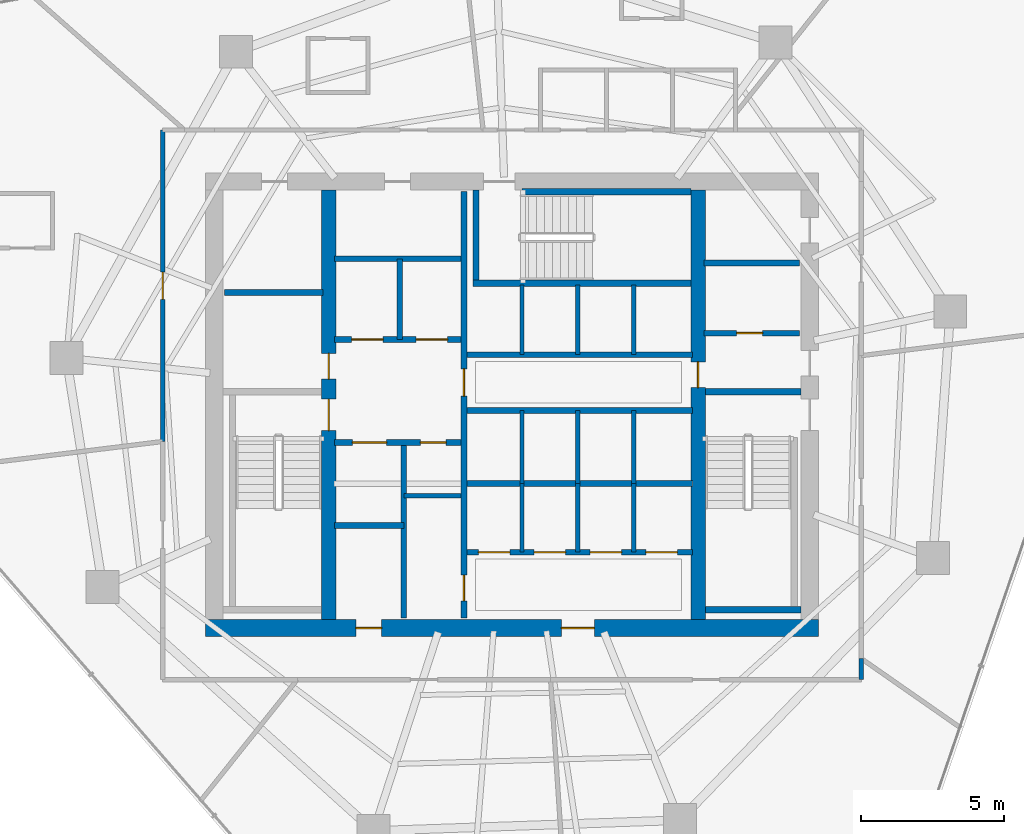
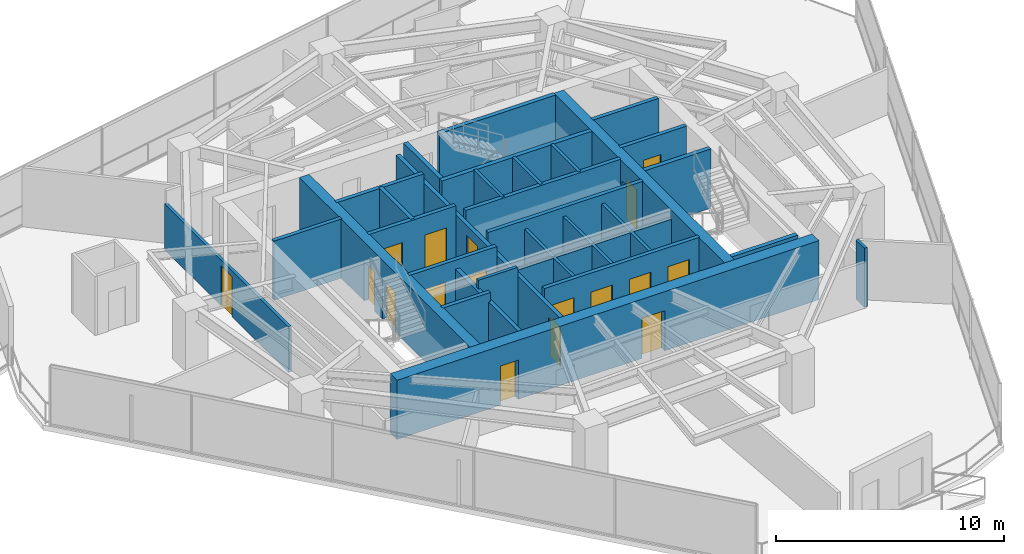
# One storey, part 23 of 27: 34 walls, 17 doors, 17 openings.
"""IFC4 building model written with IfcOpenShell, lengths in metres."""

from ifc_helpers import new_model, si_unit, direction, frame, frame_2d, origin, place, context, subcontext, project, spatial, rectangle, extrude, material, layer, layer_set, type_object, element, fill, save


model = new_model("IFC4")

# Units and contexts
model_context = context("Model", 3, precision=1e-05, world=origin(), true_north=direction((0.0, 1.0)))
body_context = subcontext(model_context, "Body", "Model", "MODEL_VIEW")
ifc_project = project(units=[si_unit("LENGTHUNIT", "METRE"), si_unit("AREAUNIT", "SQUARE_METRE"), si_unit("VOLUMEUNIT", "CUBIC_METRE"), si_unit("PLANEANGLEUNIT", "RADIAN"), si_unit("MASSUNIT", "GRAM", prefix="KILO")], contexts=[model_context])

# Site, building, storey
site_placement = place(None, origin())
site = spatial("IfcSite", under=ifc_project, at=site_placement, CompositionType="ELEMENT")
building_placement = place(site_placement, origin())
building = spatial("IfcBuilding", under=site, at=building_placement, Name="Qarnah Convention Tower", CompositionType="ELEMENT")
storey_placement = place(building_placement, frame((0.0, 0.0, 107.39990234375)))
storey = spatial("IfcBuildingStorey", under=building, at=storey_placement, Name="L28", CompositionType="ELEMENT", Elevation=107.39990234375)

# Wall, openings, doors
ifc_material_1 = material(Name="Concrete C60/75", Category="concrete")
ifc_layer_1 = layer(ifc_material_1, 0.60009765625)
ifc_layer_set_1 = layer_set([ifc_layer_1], Name="Concrete C60/75")
wall_type_1 = type_object("IfcWallType", Name="WL-CORE-600", PredefinedType="SHEAR", material=ifc_layer_set_1)
wall_1_placement = place(storey_placement, frame((26.5, 18.60009765625, 0.0), z_axis=(0.0, 0.0, 1.0), x_axis=(1.0, 0.0, 0.0)))
wall_1 = element("IfcWall", 1, at=wall_1_placement, inside=storey, type_object=wall_type_1, Name="L28 core south shear wall", PredefinedType="SHEAR", context=body_context, shape_type="SweptSolid", body=[
    extrude(rectangle(XDim=21.39990234375, YDim=0.60009765625, at=frame_2d((10.699951171875, 0.0))), origin(), (0.0, 0.0, 1.0), 3.170166015625),
])
opening_1_placement = place(wall_1_placement, frame((12.425048828125, 0.0, 0.0)))
opening_1 = element("IfcOpeningElement", 2, at=opening_1_placement, cuts=wall_1, Name="Opening D-2807", PredefinedType="OPENING", context=body_context, shape_type="SweptSolid", body=[
    extrude(rectangle(XDim=1.14990234375, YDim=2.14990234375, at=frame_2d((0.574951171875, 1.074951171875))), frame((0.0, 0.31005859375, 0.0), z_axis=(0.0, -1.0, 0.0), x_axis=(1.0, 0.0, 0.0)), (0.0, 0.0, 1.0), 0.6201171875),
])
opening_2_placement = place(wall_1_placement, frame((5.25, 0.0, 0.0)))
opening_2 = element("IfcOpeningElement", 3, at=opening_2_placement, cuts=wall_1, Name="Opening D-2813", PredefinedType="OPENING", context=body_context, shape_type="SweptSolid", body=[
    extrude(rectangle(XDim=0.89990234375, YDim=2.10009765625, at=frame_2d((0.449951171875, 1.050048828125))), frame((0.0, 0.31005859375, 0.0), z_axis=(0.0, -1.0, 0.0), x_axis=(1.0, 0.0, 0.0)), (0.0, 0.0, 1.0), 0.6201171875),
])
ifc_material_2 = material(Name="Structural steel S355JR", Category="steel")
door_type_1 = type_object("IfcDoorType", Name="DT-LOBBY-1150", OperationType="NOTDEFINED", PredefinedType="DOOR", material=ifc_material_2)
door_1_placement = place(opening_1_placement, origin())
door_1 = element("IfcDoor", 4, at=door_1_placement, inside=storey, type_object=door_type_1, Name="Door D-2807", OperationType="SINGLE_SWING_RIGHT", OverallHeight=2.14990234375, OverallWidth=1.14990234375, PredefinedType="DOOR", context=body_context, shape_type="SweptSolid", body=[
    extrude(rectangle(XDim=1.14990234375, YDim=2.14990234375, at=frame_2d((0.574951171875, 1.074951171875))), frame((0.0, 0.02490234375, 0.0), z_axis=(0.0, -1.0, 0.0), x_axis=(1.0, 0.0, 0.0)), (0.0, 0.0, 1.0), 0.050048828125),
])
fill(opening_1, door_1)
door_type_2 = type_object("IfcDoorType", Name="DT-RISER-900", OperationType="NOTDEFINED", PredefinedType="DOOR", material=ifc_material_2)
door_2_placement = place(opening_2_placement, origin())
door_2 = element("IfcDoor", 5, at=door_2_placement, inside=storey, type_object=door_type_2, Name="Door D-2813", OperationType="SINGLE_SWING_RIGHT", OverallHeight=2.10009765625, OverallWidth=0.89990234375, PredefinedType="DOOR", context=body_context, shape_type="SweptSolid", body=[
    extrude(rectangle(XDim=0.89990234375, YDim=2.10009765625, at=frame_2d((0.449951171875, 1.050048828125))), frame((0.0, 0.02490234375, 0.0), z_axis=(0.0, -1.0, 0.0), x_axis=(1.0, 0.0, 0.0)), (0.0, 0.0, 1.0), 0.050048828125),
])
fill(opening_2, door_2)

ifc_layer_2 = layer(ifc_material_1, 0.5)
ifc_layer_set_2 = layer_set([ifc_layer_2], Name="Concrete C60/75")
wall_type_2 = type_object("IfcWallType", Name="WL-CORE-INT-400", PredefinedType="SHEAR", material=ifc_layer_set_2)
wall_2_placement = place(storey_placement, frame((30.800048828125, 18.89990234375, 0.0), z_axis=(0.0, 0.0, 1.0), x_axis=(0.0, 1.0, 0.0)))
wall_2 = element("IfcWall", 6, at=wall_2_placement, inside=storey, type_object=wall_type_2, Name="L28 core west spine shear wall", PredefinedType="SHEAR", context=body_context, shape_type="SweptSolid", body=[
    extrude(rectangle(XDim=15.0, YDim=0.5, at=frame_2d((7.5, 0.0))), origin(), (0.0, 0.0, 1.0), 3.170166015625),
])
opening_3_placement = place(wall_2_placement, frame((6.60009765625, 0.0, 0.0)))
opening_3 = element("IfcOpeningElement", 7, at=opening_3_placement, cuts=wall_2, Name="Opening D-2801", PredefinedType="OPENING", context=body_context, shape_type="SweptSolid", body=[
    extrude(rectangle(XDim=1.10009765625, YDim=2.14990234375, at=frame_2d((0.550048828125, 1.074951171875))), frame((0.0, 0.260009765625, 0.0), z_axis=(0.0, -1.0, 0.0), x_axis=(1.0, 0.0, 0.0)), (0.0, 0.0, 1.0), 0.52001953125),
])
opening_4_placement = place(wall_2_placement, frame((8.39990234375, 0.0, 0.0)))
opening_4 = element("IfcOpeningElement", 8, at=opening_4_placement, cuts=wall_2, Name="Opening D-2808", PredefinedType="OPENING", context=body_context, shape_type="SweptSolid", body=[
    extrude(rectangle(XDim=0.89990234375, YDim=2.10009765625, at=frame_2d((0.449951171875, 1.050048828125))), frame((0.0, 0.260009765625, 0.0), z_axis=(0.0, -1.0, 0.0), x_axis=(1.0, 0.0, 0.0)), (0.0, 0.0, 1.0), 0.52001953125),
])
door_3_placement = place(opening_4_placement, origin())
door_3 = element("IfcDoor", 9, at=door_3_placement, inside=storey, type_object=door_type_2, Name="Door D-2808", OperationType="SINGLE_SWING_LEFT", OverallHeight=2.10009765625, OverallWidth=0.89990234375, PredefinedType="DOOR", context=body_context, shape_type="SweptSolid", body=[
    extrude(rectangle(XDim=0.89990234375, YDim=2.10009765625, at=frame_2d((0.449951171875, 1.050048828125))), frame((0.0, 0.02490234375, 0.0), z_axis=(0.0, -1.0, 0.0), x_axis=(1.0, 0.0, 0.0)), (0.0, 0.0, 1.0), 0.050048828125),
])
fill(opening_4, door_3)
door_type_3 = type_object("IfcDoorType", Name="DT-STAIR-1100", OperationType="NOTDEFINED", PredefinedType="DOOR", material=ifc_material_2)
door_4_placement = place(opening_3_placement, origin())
door_4 = element("IfcDoor", 10, at=door_4_placement, inside=storey, type_object=door_type_3, Name="Door D-2801", OperationType="SINGLE_SWING_RIGHT", OverallHeight=2.14990234375, OverallWidth=1.10009765625, PredefinedType="DOOR", context=body_context, shape_type="SweptSolid", body=[
    extrude(rectangle(XDim=1.10009765625, YDim=2.14990234375, at=frame_2d((0.550048828125, 1.074951171875))), frame((0.0, 0.02490234375, 0.0), z_axis=(0.0, -1.0, 0.0), x_axis=(1.0, 0.0, 0.0)), (0.0, 0.0, 1.0), 0.050048828125),
])
fill(opening_3, door_4)

# Wall, opening, door
wall_3_placement = place(storey_placement, frame((43.699951171875, 18.89990234375, 0.0), z_axis=(0.0, 0.0, 1.0), x_axis=(0.0, 1.0, 0.0)))
wall_3 = element("IfcWall", 11, at=wall_3_placement, inside=storey, type_object=wall_type_2, Name="L28 core east spine shear wall", PredefinedType="SHEAR", context=body_context, shape_type="SweptSolid", body=[
    extrude(rectangle(XDim=15.0, YDim=0.5, at=frame_2d((7.5, 0.0))), origin(), (0.0, 0.0, 1.0), 3.170166015625),
])
opening_5_placement = place(wall_3_placement, frame((8.10009765625, 0.0, 0.0)))
opening_5 = element("IfcOpeningElement", 12, at=opening_5_placement, cuts=wall_3, Name="Opening D-2805", PredefinedType="OPENING", context=body_context, shape_type="SweptSolid", body=[
    extrude(rectangle(XDim=0.89990234375, YDim=2.10009765625, at=frame_2d((0.449951171875, 1.050048828125))), frame((0.0, 0.260009765625, 0.0), z_axis=(0.0, -1.0, 0.0), x_axis=(1.0, 0.0, 0.0)), (0.0, 0.0, 1.0), 0.52001953125),
])
door_5_placement = place(opening_5_placement, origin())
door_5 = element("IfcDoor", 13, at=door_5_placement, inside=storey, type_object=door_type_2, Name="Door D-2805", OperationType="SINGLE_SWING_RIGHT", OverallHeight=2.10009765625, OverallWidth=0.89990234375, PredefinedType="DOOR", context=body_context, shape_type="SweptSolid", body=[
    extrude(rectangle(XDim=0.89990234375, YDim=2.10009765625, at=frame_2d((0.449951171875, 1.050048828125))), frame((0.0, 0.02490234375, 0.0), z_axis=(0.0, -1.0, 0.0), x_axis=(1.0, 0.0, 0.0)), (0.0, 0.0, 1.0), 0.050048828125),
])
fill(opening_5, door_5)

# Wall
ifc_material_3 = material(Name="Concrete C45/55", Category="concrete")
ifc_layer_3 = layer(ifc_material_3, 0.199951171875)
ifc_layer_set_3 = layer_set([ifc_layer_3], Name="Concrete C45/55")
wall_type_3 = type_object("IfcWallType", Name="WL-CORE-PART-200", PredefinedType="SOLIDWALL", material=ifc_layer_set_3)
wall_4_placement = place(storey_placement, frame((27.14990234375, 30.320068359375, 0.0), z_axis=(0.0, 0.0, 1.0), x_axis=(1.0, 0.0, 0.0)))
element("IfcWall", 14, at=wall_4_placement, inside=storey, type_object=wall_type_3, Name="L28 interior wall IW-L28-ELRN", PredefinedType="SOLIDWALL", context=body_context, shape_type="SweptSolid", body=[
    extrude(rectangle(XDim=3.4501953125, YDim=0.199951171875, at=frame_2d((1.72509765625, 0.0))), origin(), (0.0, 0.0, 1.0), 3.170166015625),
])

# Wall, opening, door
wall_5_placement = place(storey_placement, frame((43.89990234375, 28.89990234375, 0.0), z_axis=(0.0, 0.0, 1.0), x_axis=(1.0, 0.0, 0.0)))
wall_5 = element("IfcWall", 15, at=wall_5_placement, inside=storey, type_object=wall_type_3, Name="L28 interior wall IW-L28-EVSTN", PredefinedType="SOLIDWALL", context=body_context, shape_type="SweptSolid", body=[
    extrude(rectangle(XDim=3.35009765625, YDim=0.199951171875, at=frame_2d((1.675048828125, 0.0))), origin(), (0.0, 0.0, 1.0), 3.170166015625),
])
opening_6_placement = place(wall_5_placement, frame((1.14990234375, 0.0, 0.0)))
opening_6 = element("IfcOpeningElement", 16, at=opening_6_placement, cuts=wall_5, Name="Opening D-2811", PredefinedType="OPENING", context=body_context, shape_type="SweptSolid", body=[
    extrude(rectangle(XDim=0.89990234375, YDim=2.10009765625, at=frame_2d((0.449951171875, 1.050048828125))), frame((0.0, 0.10986328125, 0.0), z_axis=(0.0, -1.0, 0.0), x_axis=(1.0, 0.0, 0.0)), (0.0, 0.0, 1.0), 0.219970703125),
])
door_6_placement = place(opening_6_placement, origin())
door_6 = element("IfcDoor", 17, at=door_6_placement, inside=storey, type_object=door_type_2, Name="Door D-2811", OperationType="SINGLE_SWING_RIGHT", OverallHeight=2.10009765625, OverallWidth=0.89990234375, PredefinedType="DOOR", context=body_context, shape_type="SweptSolid", body=[
    extrude(rectangle(XDim=0.89990234375, YDim=2.10009765625, at=frame_2d((0.449951171875, 1.050048828125))), frame((0.0, 0.02490234375, 0.0), z_axis=(0.0, -1.0, 0.0), x_axis=(1.0, 0.0, 0.0)), (0.0, 0.0, 1.0), 0.050048828125),
])
fill(opening_6, door_6)

# Wall
wall_6_placement = place(storey_placement, frame((43.89990234375, 31.35009765625, 0.0), z_axis=(0.0, 0.0, 1.0), x_axis=(1.0, 0.0, 0.0)))
element("IfcWall", 18, at=wall_6_placement, inside=storey, type_object=wall_type_3, Name="L28 interior wall IW-L28-WTRN", PredefinedType="SOLIDWALL", context=body_context, shape_type="SweptSolid", body=[
    extrude(rectangle(XDim=3.35009765625, YDim=0.199951171875, at=frame_2d((1.675048828125, 0.0))), origin(), (0.0, 0.0, 1.0), 3.170166015625),
])

# Wall, openings, doors
wall_7_placement = place(storey_placement, frame((35.52001953125, 18.949951171875, 0.0), z_axis=(0.0, 0.0, 1.0), x_axis=(0.0, 1.0, 0.0)))
wall_7 = element("IfcWall", 19, at=wall_7_placement, inside=storey, type_object=wall_type_3, Name="L28 interior wall IW-L28-CSP", PredefinedType="SOLIDWALL", context=body_context, shape_type="SweptSolid", body=[
    extrude(rectangle(XDim=14.900146484375, YDim=0.199951171875, at=frame_2d((7.4501953125, 0.0))), origin(), (0.0, 0.0, 1.0), 2.691162109375),
])
opening_7_placement = place(wall_7_placement, frame((7.7548828125, 0.0, 0.0)))
opening_7 = element("IfcOpeningElement", 20, at=opening_7_placement, cuts=wall_7, Name="Opening D-2804", PredefinedType="OPENING", context=body_context, shape_type="SweptSolid", body=[
    extrude(rectangle(XDim=0.949951171875, YDim=2.14990234375, at=frame_2d((0.47509765625, 1.074951171875))), frame((0.0, 0.10986328125, 0.0), z_axis=(0.0, -1.0, 0.0), x_axis=(1.0, 0.0, 0.0)), (0.0, 0.0, 1.0), 0.219970703125),
])
opening_8_placement = place(wall_7_placement, frame((0.60009765625, 0.0, 0.0)))
opening_8 = element("IfcOpeningElement", 21, at=opening_8_placement, cuts=wall_7, Name="Opening D-2814", PredefinedType="OPENING", context=body_context, shape_type="SweptSolid", body=[
    extrude(rectangle(XDim=0.89990234375, YDim=2.10009765625, at=frame_2d((0.449951171875, 1.050048828125))), frame((0.0, 0.10986328125, 0.0), z_axis=(0.0, -1.0, 0.0), x_axis=(1.0, 0.0, 0.0)), (0.0, 0.0, 1.0), 0.219970703125),
])
ifc_material_4 = material(Name="Oak timber veneer", Category="wood")
door_type_4 = type_object("IfcDoorType", Name="DT-HOTEL-950", OperationType="NOTDEFINED", PredefinedType="DOOR", material=ifc_material_4)
door_7_placement = place(opening_7_placement, origin())
door_7 = element("IfcDoor", 22, at=door_7_placement, inside=storey, type_object=door_type_4, Name="Door D-2804", OperationType="SINGLE_SWING_LEFT", OverallHeight=2.14990234375, OverallWidth=0.949951171875, PredefinedType="DOOR", context=body_context, shape_type="SweptSolid", body=[
    extrude(rectangle(XDim=0.949951171875, YDim=2.14990234375, at=frame_2d((0.47509765625, 1.074951171875))), frame((0.0, 0.02490234375, 0.0), z_axis=(0.0, -1.0, 0.0), x_axis=(1.0, 0.0, 0.0)), (0.0, 0.0, 1.0), 0.050048828125),
])
fill(opening_7, door_7)
door_8_placement = place(opening_8_placement, origin())
door_8 = element("IfcDoor", 23, at=door_8_placement, inside=storey, type_object=door_type_2, Name="Door D-2814", OperationType="SINGLE_SWING_LEFT", OverallHeight=2.10009765625, OverallWidth=0.89990234375, PredefinedType="DOOR", context=body_context, shape_type="SweptSolid", body=[
    extrude(rectangle(XDim=0.89990234375, YDim=2.10009765625, at=frame_2d((0.449951171875, 1.050048828125))), frame((0.0, 0.02490234375, 0.0), z_axis=(0.0, -1.0, 0.0), x_axis=(1.0, 0.0, 0.0)), (0.0, 0.0, 1.0), 0.050048828125),
])
fill(opening_8, door_8)

wall_8_placement = place(storey_placement, frame((31.0, 28.679931640625, 0.0), z_axis=(0.0, 0.0, 1.0), x_axis=(1.0, 0.0, 0.0)))
wall_8 = element("IfcWall", 24, at=wall_8_placement, inside=storey, type_object=wall_type_3, Name="L28 interior wall IW-L28-FFLS", PredefinedType="SOLIDWALL", context=body_context, shape_type="SweptSolid", body=[
    extrude(rectangle(XDim=4.419921875, YDim=0.199951171875, at=frame_2d((2.2099609375, 0.0))), origin(), (0.0, 0.0, 1.0), 3.170166015625),
])
opening_9_placement = place(wall_8_placement, frame((0.60009765625, 0.0, 0.0)))
opening_9 = element("IfcOpeningElement", 25, at=opening_9_placement, cuts=wall_8, Name="Opening LD-2801", PredefinedType="OPENING", context=body_context, shape_type="SweptSolid", body=[
    extrude(rectangle(XDim=1.10009765625, YDim=2.14990234375, at=frame_2d((0.550048828125, 1.074951171875))), frame((0.0, 0.10986328125, 0.0), z_axis=(0.0, -1.0, 0.0), x_axis=(1.0, 0.0, 0.0)), (0.0, 0.0, 1.0), 0.219970703125),
])
opening_10_placement = place(wall_8_placement, frame((2.85009765625, 0.0, 0.0)))
opening_10 = element("IfcOpeningElement", 26, at=opening_10_placement, cuts=wall_8, Name="Opening LD-2802", PredefinedType="OPENING", context=body_context, shape_type="SweptSolid", body=[
    extrude(rectangle(XDim=1.10009765625, YDim=2.14990234375, at=frame_2d((0.550048828125, 1.074951171875))), frame((0.0, 0.10986328125, 0.0), z_axis=(0.0, -1.0, 0.0), x_axis=(1.0, 0.0, 0.0)), (0.0, 0.0, 1.0), 0.219970703125),
])
door_type_5 = type_object("IfcDoorType", Name="DT-LIFT-1100", OperationType="SLIDING_TO_LEFT", PredefinedType="DOOR", material=ifc_material_2)
door_9_placement = place(opening_9_placement, origin())
door_9 = element("IfcDoor", 27, at=door_9_placement, inside=storey, type_object=door_type_5, Name="Door LD-2801", OperationType="SLIDING_TO_LEFT", OverallHeight=2.14990234375, OverallWidth=1.10009765625, PredefinedType="DOOR", context=body_context, shape_type="SweptSolid", body=[
    extrude(rectangle(XDim=1.10009765625, YDim=2.14990234375, at=frame_2d((0.550048828125, 1.074951171875))), frame((0.0, 0.02490234375, 0.0), z_axis=(0.0, -1.0, 0.0), x_axis=(1.0, 0.0, 0.0)), (0.0, 0.0, 1.0), 0.050048828125),
])
fill(opening_9, door_9)
door_10_placement = place(opening_10_placement, origin())
door_10 = element("IfcDoor", 28, at=door_10_placement, inside=storey, type_object=door_type_5, Name="Door LD-2802", OperationType="SLIDING_TO_LEFT", OverallHeight=2.14990234375, OverallWidth=1.10009765625, PredefinedType="DOOR", context=body_context, shape_type="SweptSolid", body=[
    extrude(rectangle(XDim=1.10009765625, YDim=2.14990234375, at=frame_2d((0.550048828125, 1.074951171875))), frame((0.0, 0.02490234375, 0.0), z_axis=(0.0, -1.0, 0.0), x_axis=(1.0, 0.0, 0.0)), (0.0, 0.0, 1.0), 0.050048828125),
])
fill(opening_10, door_10)

# Walls
wall_9_placement = place(storey_placement, frame((31.0, 31.5, 0.0), z_axis=(0.0, 0.0, 1.0), x_axis=(1.0, 0.0, 0.0)))
element("IfcWall", 29, at=wall_9_placement, inside=storey, type_object=wall_type_3, Name="L28 interior wall IW-L28-FFLN", PredefinedType="SOLIDWALL", context=body_context, shape_type="SweptSolid", body=[
    extrude(rectangle(XDim=4.419921875, YDim=0.199951171875, at=frame_2d((2.2099609375, 0.0))), origin(), (0.0, 0.0, 1.0), 3.170166015625),
])
wall_10_placement = place(storey_placement, frame((33.280029296875, 28.679931640625, 0.0), z_axis=(0.0, 0.0, 1.0), x_axis=(0.0, 1.0, 0.0)))
element("IfcWall", 30, at=wall_10_placement, inside=storey, type_object=wall_type_3, Name="L28 interior wall IW-L28-FFLM", PredefinedType="SOLIDWALL", context=body_context, shape_type="SweptSolid", body=[
    extrude(rectangle(XDim=2.820068359375, YDim=0.199951171875, at=frame_2d((1.41015625, 0.0))), origin(), (0.0, 0.0, 1.0), 3.170166015625),
])

# Wall, openings, doors
wall_11_placement = place(storey_placement, frame((31.0, 25.080078125, 0.0), z_axis=(0.0, 0.0, 1.0), x_axis=(1.0, 0.0, 0.0)))
wall_11 = element("IfcWall", 31, at=wall_11_placement, inside=storey, type_object=wall_type_3, Name="L28 interior wall IW-L28-FFLBS", PredefinedType="SOLIDWALL", context=body_context, shape_type="SweptSolid", body=[
    extrude(rectangle(XDim=4.419921875, YDim=0.199951171875, at=frame_2d((2.2099609375, 0.0))), origin(), (0.0, 0.0, 1.0), 3.170166015625),
])
opening_11_placement = place(wall_11_placement, frame((3.0, 0.0, 0.0)))
opening_11 = element("IfcOpeningElement", 32, at=opening_11_placement, cuts=wall_11, Name="Opening D-2815", PredefinedType="OPENING", context=body_context, shape_type="SweptSolid", body=[
    extrude(rectangle(XDim=0.89990234375, YDim=2.10009765625, at=frame_2d((0.449951171875, 1.050048828125))), frame((0.0, 0.10986328125, 0.0), z_axis=(0.0, -1.0, 0.0), x_axis=(1.0, 0.0, 0.0)), (0.0, 0.0, 1.0), 0.219970703125),
])
opening_12_placement = place(wall_11_placement, frame((0.6201171875, 0.0, 0.0)))
opening_12 = element("IfcOpeningElement", 33, at=opening_12_placement, cuts=wall_11, Name="Opening LD-2803", PredefinedType="OPENING", context=body_context, shape_type="SweptSolid", body=[
    extrude(rectangle(XDim=1.199951171875, YDim=2.14990234375, at=frame_2d((0.60009765625, 1.074951171875))), frame((0.0, 0.10986328125, 0.0), z_axis=(0.0, -1.0, 0.0), x_axis=(1.0, 0.0, 0.0)), (0.0, 0.0, 1.0), 0.219970703125),
])
door_type_6 = type_object("IfcDoorType", Name="DT-LIFT-1200", OperationType="SLIDING_TO_LEFT", PredefinedType="DOOR", material=ifc_material_2)
door_11_placement = place(opening_12_placement, origin())
door_11 = element("IfcDoor", 34, at=door_11_placement, inside=storey, type_object=door_type_6, Name="Door LD-2803", OperationType="SLIDING_TO_LEFT", OverallHeight=2.14990234375, OverallWidth=1.199951171875, PredefinedType="DOOR", context=body_context, shape_type="SweptSolid", body=[
    extrude(rectangle(XDim=1.199951171875, YDim=2.14990234375, at=frame_2d((0.60009765625, 1.074951171875))), frame((0.0, 0.02490234375, 0.0), z_axis=(0.0, -1.0, 0.0), x_axis=(1.0, 0.0, 0.0)), (0.0, 0.0, 1.0), 0.050048828125),
])
fill(opening_12, door_11)
door_12_placement = place(opening_11_placement, origin())
door_12 = element("IfcDoor", 35, at=door_12_placement, inside=storey, type_object=door_type_2, Name="Door D-2815", OperationType="SINGLE_SWING_RIGHT", OverallHeight=2.10009765625, OverallWidth=0.89990234375, PredefinedType="DOOR", context=body_context, shape_type="SweptSolid", body=[
    extrude(rectangle(XDim=0.89990234375, YDim=2.10009765625, at=frame_2d((0.449951171875, 1.050048828125))), frame((0.0, 0.02490234375, 0.0), z_axis=(0.0, -1.0, 0.0), x_axis=(1.0, 0.0, 0.0)), (0.0, 0.0, 1.0), 0.050048828125),
])
fill(opening_11, door_12)

# Walls
wall_12_placement = place(storey_placement, frame((33.419921875, 18.949951171875, 0.0), z_axis=(0.0, 0.0, 1.0), x_axis=(0.0, 1.0, 0.0)))
element("IfcWall", 36, at=wall_12_placement, inside=storey, type_object=wall_type_3, Name="L28 interior wall IW-L28-SVLE", PredefinedType="SOLIDWALL", context=body_context, shape_type="SweptSolid", body=[
    extrude(rectangle(XDim=6.130126953125, YDim=0.199951171875, at=frame_2d((3.06494140625, 0.0))), origin(), (0.0, 0.0, 1.0), 2.691162109375),
])
wall_13_placement = place(storey_placement, frame((31.0, 22.179931640625, 0.0), z_axis=(0.0, 0.0, 1.0), x_axis=(1.0, 0.0, 0.0)))
element("IfcWall", 37, at=wall_13_placement, inside=storey, type_object=wall_type_3, Name="L28 interior wall IW-L28-SVLS", PredefinedType="SOLIDWALL", context=body_context, shape_type="SweptSolid", body=[
    extrude(rectangle(XDim=2.419921875, YDim=0.199951171875, at=frame_2d((1.2099609375, 0.0))), origin(), (0.0, 0.0, 1.0), 3.170166015625),
])
for number, where, z_axis, x_axis, name in (
    (38, (35.6201171875, 28.14990234375, 0.0), (0.0, 0.0, 1.0), (1.0, 0.0, 0.0), "L28 interior wall IW-L28-PHS"),
    (39, (35.6201171875, 26.199951171875, 0.0), (0.0, 0.0, 1.0), (1.0, 0.0, 0.0), "L28 interior wall IW-L28-PMN"),
):
    element("IfcWall", number, at=place(storey_placement, frame(where, z_axis=z_axis, x_axis=x_axis)), inside=storey, type_object=wall_type_3, Name=name, PredefinedType="SOLIDWALL", context=body_context, shape_type="SweptSolid", body=[
        extrude(rectangle(XDim=7.8798828125, YDim=0.199951171875, at=frame_2d((3.93994140625, 0.0))), origin(), (0.0, 0.0, 1.0), 3.170166015625),
    ])
wall_14_placement = place(storey_placement, frame((35.6201171875, 23.64990234375, 0.0), z_axis=(0.0, 0.0, 1.0), x_axis=(1.0, 0.0, 0.0)))
element("IfcWall", 40, at=wall_14_placement, inside=storey, type_object=wall_type_3, Name="L28 interior wall IW-L28-PMPL", PredefinedType="SOLIDWALL", context=body_context, shape_type="SweptSolid", body=[
    extrude(rectangle(XDim=7.8798828125, YDim=0.199951171875, at=frame_2d((3.93994140625, 0.0))), origin(), (0.0, 0.0, 1.0), 2.691162109375),
])

# Wall, openings, doors
wall_15_placement = place(storey_placement, frame((35.6201171875, 21.25, 0.0), z_axis=(0.0, 0.0, 1.0), x_axis=(1.0, 0.0, 0.0)))
wall_15 = element("IfcWall", 41, at=wall_15_placement, inside=storey, type_object=wall_type_3, Name="L28 interior wall IW-L28-PLS", PredefinedType="SOLIDWALL", context=body_context, shape_type="SweptSolid", body=[
    extrude(rectangle(XDim=7.8798828125, YDim=0.199951171875, at=frame_2d((3.93994140625, 0.0))), origin(), (0.0, 0.0, 1.0), 3.170166015625),
])
opening_13_placement = place(wall_15_placement, frame((0.405029296875, 0.0, 0.0)))
opening_13 = element("IfcOpeningElement", 42, at=opening_13_placement, cuts=wall_15, Name="Opening LD-2804", PredefinedType="OPENING", context=body_context, shape_type="SweptSolid", body=[
    extrude(rectangle(XDim=1.10009765625, YDim=2.14990234375, at=frame_2d((0.550048828125, 1.074951171875))), frame((0.0, 0.10986328125, 0.0), z_axis=(0.0, -1.0, 0.0), x_axis=(1.0, 0.0, 0.0)), (0.0, 0.0, 1.0), 0.219970703125),
])
opening_14_placement = place(wall_15_placement, frame((2.35498046875, 0.0, 0.0)))
opening_14 = element("IfcOpeningElement", 43, at=opening_14_placement, cuts=wall_15, Name="Opening LD-2805", PredefinedType="OPENING", context=body_context, shape_type="SweptSolid", body=[
    extrude(rectangle(XDim=1.10009765625, YDim=2.14990234375, at=frame_2d((0.550048828125, 1.074951171875))), frame((0.0, 0.10986328125, 0.0), z_axis=(0.0, -1.0, 0.0), x_axis=(1.0, 0.0, 0.0)), (0.0, 0.0, 1.0), 0.219970703125),
])
opening_15_placement = place(wall_15_placement, frame((4.304931640625, 0.0, 0.0)))
opening_15 = element("IfcOpeningElement", 44, at=opening_15_placement, cuts=wall_15, Name="Opening LD-2806", PredefinedType="OPENING", context=body_context, shape_type="SweptSolid", body=[
    extrude(rectangle(XDim=1.10009765625, YDim=2.14990234375, at=frame_2d((0.550048828125, 1.074951171875))), frame((0.0, 0.10986328125, 0.0), z_axis=(0.0, -1.0, 0.0), x_axis=(1.0, 0.0, 0.0)), (0.0, 0.0, 1.0), 0.219970703125),
])
opening_16_placement = place(wall_15_placement, frame((6.2548828125, 0.0, 0.0)))
opening_16 = element("IfcOpeningElement", 45, at=opening_16_placement, cuts=wall_15, Name="Opening LD-2807", PredefinedType="OPENING", context=body_context, shape_type="SweptSolid", body=[
    extrude(rectangle(XDim=1.10009765625, YDim=2.14990234375, at=frame_2d((0.550048828125, 1.074951171875))), frame((0.0, 0.10986328125, 0.0), z_axis=(0.0, -1.0, 0.0), x_axis=(1.0, 0.0, 0.0)), (0.0, 0.0, 1.0), 0.219970703125),
])
door_13_placement = place(opening_13_placement, origin())
door_13 = element("IfcDoor", 46, at=door_13_placement, inside=storey, type_object=door_type_5, Name="Door LD-2804", OperationType="SLIDING_TO_LEFT", OverallHeight=2.14990234375, OverallWidth=1.10009765625, PredefinedType="DOOR", context=body_context, shape_type="SweptSolid", body=[
    extrude(rectangle(XDim=1.10009765625, YDim=2.14990234375, at=frame_2d((0.550048828125, 1.074951171875))), frame((0.0, 0.02490234375, 0.0), z_axis=(0.0, -1.0, 0.0), x_axis=(1.0, 0.0, 0.0)), (0.0, 0.0, 1.0), 0.050048828125),
])
fill(opening_13, door_13)
door_14_placement = place(opening_14_placement, origin())
door_14 = element("IfcDoor", 47, at=door_14_placement, inside=storey, type_object=door_type_5, Name="Door LD-2805", OperationType="SLIDING_TO_LEFT", OverallHeight=2.14990234375, OverallWidth=1.10009765625, PredefinedType="DOOR", context=body_context, shape_type="SweptSolid", body=[
    extrude(rectangle(XDim=1.10009765625, YDim=2.14990234375, at=frame_2d((0.550048828125, 1.074951171875))), frame((0.0, 0.02490234375, 0.0), z_axis=(0.0, -1.0, 0.0), x_axis=(1.0, 0.0, 0.0)), (0.0, 0.0, 1.0), 0.050048828125),
])
fill(opening_14, door_14)
door_15_placement = place(opening_15_placement, origin())
door_15 = element("IfcDoor", 48, at=door_15_placement, inside=storey, type_object=door_type_5, Name="Door LD-2806", OperationType="SLIDING_TO_LEFT", OverallHeight=2.14990234375, OverallWidth=1.10009765625, PredefinedType="DOOR", context=body_context, shape_type="SweptSolid", body=[
    extrude(rectangle(XDim=1.10009765625, YDim=2.14990234375, at=frame_2d((0.550048828125, 1.074951171875))), frame((0.0, 0.02490234375, 0.0), z_axis=(0.0, -1.0, 0.0), x_axis=(1.0, 0.0, 0.0)), (0.0, 0.0, 1.0), 0.050048828125),
])
fill(opening_15, door_15)
door_16_placement = place(opening_16_placement, origin())
door_16 = element("IfcDoor", 49, at=door_16_placement, inside=storey, type_object=door_type_5, Name="Door LD-2807", OperationType="SLIDING_TO_LEFT", OverallHeight=2.14990234375, OverallWidth=1.10009765625, PredefinedType="DOOR", context=body_context, shape_type="SweptSolid", body=[
    extrude(rectangle(XDim=1.10009765625, YDim=2.14990234375, at=frame_2d((0.550048828125, 1.074951171875))), frame((0.0, 0.02490234375, 0.0), z_axis=(0.0, -1.0, 0.0), x_axis=(1.0, 0.0, 0.0)), (0.0, 0.0, 1.0), 0.050048828125),
])
fill(opening_16, door_16)

# Walls
ifc_layer_4 = layer(ifc_material_1, 0.219970703125)
ifc_layer_set_4 = layer_set([ifc_layer_4], Name="Concrete C60/75")
wall_type_4 = type_object("IfcWallType", Name="WL-CORE-STAIR-220", PredefinedType="SHEAR", material=ifc_layer_set_4)
for number, where, z_axis, x_axis, name in (
    (50, (43.949951171875, 26.860107421875, 0.0), (0.0, 0.0, 1.0), (1.0, 0.0, 0.0), "L28 stair shaft shear wall SW-L28-ST2N"),
    (51, (43.949951171875, 19.239990234375, 0.0), (0.0, 0.0, 1.0), (1.0, 0.0, 0.0), "L28 stair shaft shear wall SW-L28-ST2S"),
):
    element("IfcWall", number, at=place(storey_placement, frame(where, z_axis=z_axis, x_axis=x_axis)), inside=storey, type_object=wall_type_4, Name=name, PredefinedType="SHEAR", context=body_context, shape_type="SweptSolid", body=[
        extrude(rectangle(XDim=3.35009765625, YDim=0.219970703125, at=frame_2d((1.675048828125, 0.0))), origin(), (0.0, 0.0, 1.0), 3.170166015625),
    ])
wall_16_placement = place(storey_placement, frame((35.840087890625, 30.639892578125, 0.0), z_axis=(0.0, 0.0, 1.0), x_axis=(1.0, 0.0, 0.0)))
element("IfcWall", 52, at=wall_16_placement, inside=storey, type_object=wall_type_4, Name="L28 stair shaft shear wall SW-L28-ST3S", PredefinedType="SHEAR", context=body_context, shape_type="SweptSolid", body=[
    extrude(rectangle(XDim=7.60986328125, YDim=0.219970703125, at=frame_2d((3.804931640625, 0.0))), origin(), (0.0, 0.0, 1.0), 3.170166015625),
])
wall_17_placement = place(storey_placement, frame((35.93994140625, 30.75, 0.0), z_axis=(0.0, 0.0, 1.0), x_axis=(0.0, 1.0, 0.0)))
element("IfcWall", 53, at=wall_17_placement, inside=storey, type_object=wall_type_4, Name="L28 stair shaft shear wall SW-L28-ST3W", PredefinedType="SHEAR", context=body_context, shape_type="SweptSolid", body=[
    extrude(rectangle(XDim=3.14990234375, YDim=0.219970703125, at=frame_2d((1.574951171875, 0.0))), origin(), (0.0, 0.0, 1.0), 3.170166015625),
])
wall_18_placement = place(storey_placement, frame((37.550048828125, 33.840087890625, 0.0), z_axis=(0.0, 0.0, 1.0), x_axis=(1.0, 0.0, 0.0)))
element("IfcWall", 54, at=wall_18_placement, inside=storey, type_object=wall_type_4, Name="L28 stair shaft shear wall SW-L28-ST3N", PredefinedType="SHEAR", context=body_context, shape_type="SweptSolid", body=[
    extrude(rectangle(XDim=5.89990234375, YDim=0.219970703125, at=frame_2d((2.949951171875, 0.0))), origin(), (0.0, 0.0, 1.0), 3.170166015625),
])
ifc_material_5 = material(Name="Gypsum partition board")
ifc_layer_5 = layer(ifc_material_5, 0.14990234375)
ifc_layer_set_5 = layer_set([ifc_layer_5], Name="Gypsum partition board")
wall_type_5 = type_object("IfcWallType", Name="WL-SUITE-150", PredefinedType="PARTITIONING", material=ifc_layer_set_5)
wall_19_placement = place(storey_placement, frame((33.419921875, 23.219970703125, 0.0), z_axis=(0.0, 0.0, 1.0), x_axis=(1.0, 0.0, 0.0)))
element("IfcWall", 55, at=wall_19_placement, inside=storey, type_object=wall_type_5, Name="L28 interior wall IW-L28-CSV1", PredefinedType="PARTITIONING", context=body_context, shape_type="SweptSolid", body=[
    extrude(rectangle(XDim=2.0, YDim=0.14990234375, at=frame_2d((1.0, 0.0))), origin(), (0.0, 0.0, 1.0), 3.170166015625),
])
for number, where, z_axis, x_axis, name in (
    (56, (37.550048828125, 28.14990234375, 0.0), (0.0, 0.0, 1.0), (0.0, 1.0, 0.0), "L28 interior wall IW-L28-PHD1"),
    (57, (39.5, 28.14990234375, 0.0), (0.0, 0.0, 1.0), (0.0, 1.0, 0.0), "L28 interior wall IW-L28-PHD2"),
    (58, (41.449951171875, 28.14990234375, 0.0), (0.0, 0.0, 1.0), (0.0, 1.0, 0.0), "L28 interior wall IW-L28-PHD3"),
):
    element("IfcWall", number, at=place(storey_placement, frame(where, z_axis=z_axis, x_axis=x_axis)), inside=storey, type_object=wall_type_5, Name=name, PredefinedType="PARTITIONING", context=body_context, shape_type="SweptSolid", body=[
        extrude(rectangle(XDim=2.43017578125, YDim=0.14990234375, at=frame_2d((1.215087890625, 0.0))), origin(), (0.0, 0.0, 1.0), 3.170166015625),
    ])
for number, where, z_axis, x_axis, name in (
    (59, (37.550048828125, 23.64990234375, 0.0), (0.0, 0.0, 1.0), (0.0, 1.0, 0.0), "L28 interior wall IW-L28-PMD1"),
    (60, (39.5, 23.64990234375, 0.0), (0.0, 0.0, 1.0), (0.0, 1.0, 0.0), "L28 interior wall IW-L28-PMD2"),
    (61, (41.449951171875, 23.64990234375, 0.0), (0.0, 0.0, 1.0), (0.0, 1.0, 0.0), "L28 interior wall IW-L28-PMD3"),
):
    element("IfcWall", number, at=place(storey_placement, frame(where, z_axis=z_axis, x_axis=x_axis)), inside=storey, type_object=wall_type_5, Name=name, PredefinedType="PARTITIONING", context=body_context, shape_type="SweptSolid", body=[
        extrude(rectangle(XDim=2.550048828125, YDim=0.14990234375, at=frame_2d((1.27490234375, 0.0))), origin(), (0.0, 0.0, 1.0), 2.691162109375),
    ])
for number, where, z_axis, x_axis, name in (
    (62, (37.550048828125, 21.25, 0.0), (0.0, 0.0, 1.0), (0.0, 1.0, 0.0), "L28 interior wall IW-L28-PLD1"),
    (63, (39.5, 21.25, 0.0), (0.0, 0.0, 1.0), (0.0, 1.0, 0.0), "L28 interior wall IW-L28-PLD2"),
    (64, (41.449951171875, 21.25, 0.0), (0.0, 0.0, 1.0), (0.0, 1.0, 0.0), "L28 interior wall IW-L28-PLD3"),
):
    element("IfcWall", number, at=place(storey_placement, frame(where, z_axis=z_axis, x_axis=x_axis)), inside=storey, type_object=wall_type_5, Name=name, PredefinedType="PARTITIONING", context=body_context, shape_type="SweptSolid", body=[
        extrude(rectangle(XDim=2.39990234375, YDim=0.14990234375, at=frame_2d((1.199951171875, 0.0))), origin(), (0.0, 0.0, 1.0), 2.691162109375),
    ])

# Wall, opening, door
wall_20_placement = place(storey_placement, frame((25.0, 25.117919921875, 0.0), z_axis=(0.0, 0.0, 1.0), x_axis=(0.0, 1.0, 0.0)))
wall_20 = element("IfcWall", 65, at=wall_20_placement, inside=storey, type_object=wall_type_5, Name="L28 interior wall IW-L28-R-34", PredefinedType="PARTITIONING", context=body_context, shape_type="SweptSolid", body=[
    extrude(rectangle(XDim=10.882080078125, YDim=0.14990234375, at=frame_2d((5.44091796875, 0.0))), origin(), (0.0, 0.0, 1.0), 2.455078125),
])
opening_17_placement = place(wall_20_placement, frame((4.966064453125, 0.0, 0.0)))
opening_17 = element("IfcOpeningElement", 66, at=opening_17_placement, cuts=wall_20, Name="Opening D-2824", PredefinedType="OPENING", context=body_context, shape_type="SweptSolid", body=[
    extrude(rectangle(XDim=0.949951171875, YDim=2.14990234375, at=frame_2d((0.47509765625, 1.074951171875))), frame((0.0, 0.0849609375, 0.0), z_axis=(0.0, -1.0, 0.0), x_axis=(1.0, 0.0, 0.0)), (0.0, 0.0, 1.0), 0.169921875),
])
door_17_placement = place(opening_17_placement, origin())
door_17 = element("IfcDoor", 67, at=door_17_placement, inside=storey, type_object=door_type_4, Name="Door D-2824", OperationType="SINGLE_SWING_LEFT", OverallHeight=2.14990234375, OverallWidth=0.949951171875, PredefinedType="DOOR", context=body_context, shape_type="SweptSolid", body=[
    extrude(rectangle(XDim=0.949951171875, YDim=2.14990234375, at=frame_2d((0.47509765625, 1.074951171875))), frame((0.0, 0.02490234375, 0.0), z_axis=(0.0, -1.0, 0.0), x_axis=(1.0, 0.0, 0.0)), (0.0, 0.0, 1.0), 0.050048828125),
])
fill(opening_17, door_17)

# Wall
wall_21_placement = place(storey_placement, frame((49.39990234375, 17.535888671875, 0.0), z_axis=(0.0, 0.0, 1.0), x_axis=(0.0, -1.0, 0.0)))
element("IfcWall", 68, at=wall_21_placement, inside=storey, type_object=wall_type_5, Name="L28 interior wall IW-L28-R-43", PredefinedType="PARTITIONING", context=body_context, shape_type="SweptSolid", body=[
    extrude(rectangle(XDim=0.73583984375, YDim=0.14990234375, at=frame_2d((0.367919921875, 0.0))), origin(), (0.0, 0.0, 1.0), 3.170166015625),
])

save(model, "model.ifc")
